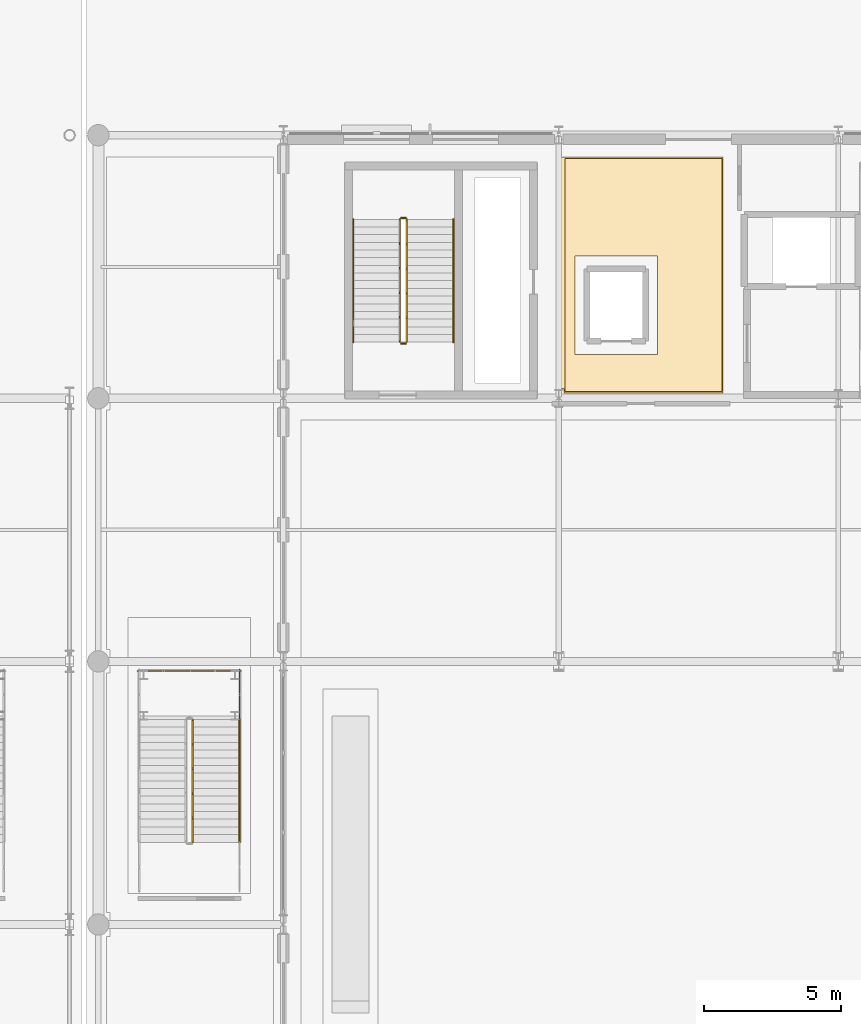
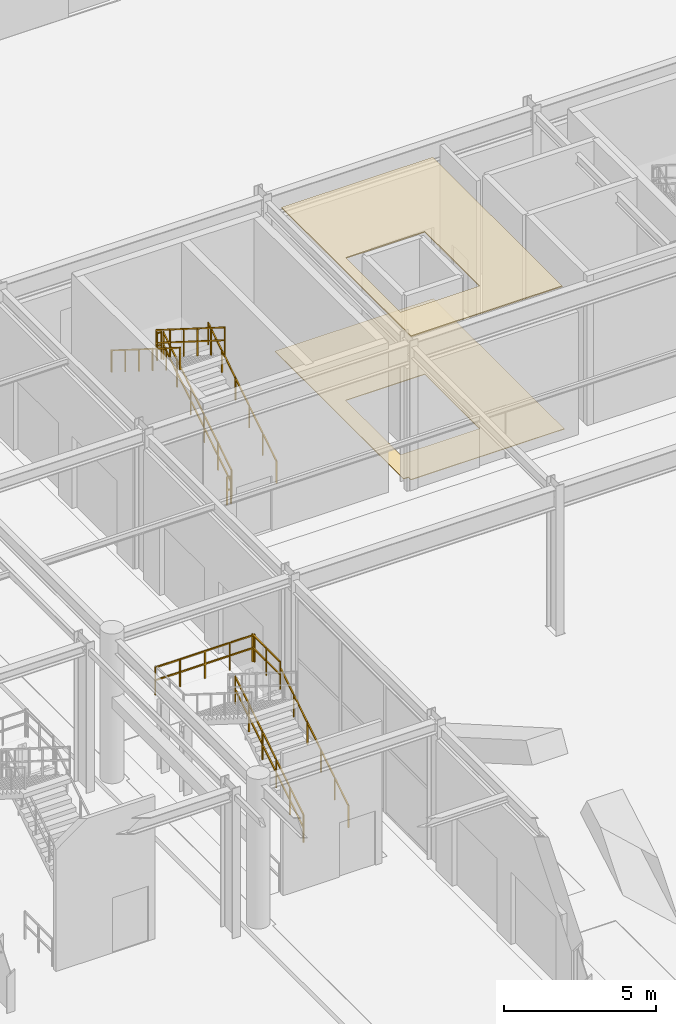
# One storey, part 92 of 113: 10 railings, 2 coverings.
"""IFC4 building model written with IfcOpenShell, lengths in metres."""

from ifc_helpers import new_model, si_unit, direction, frame, origin, origin_2d, place, context, subcontext, project, spatial, polyline, rectangle, outline, extrude, material, layer, layer_set, type_object, element, save


model = new_model("IFC4")

# Units and contexts
model_context = context("Model", 3, precision=1e-05, world=origin(), true_north=direction((0.0, 1.0)))
body_context = subcontext(model_context, "Body", "Model", "MODEL_VIEW")
ifc_project = project(units=[si_unit("LENGTHUNIT", "METRE"), si_unit("AREAUNIT", "SQUARE_METRE"), si_unit("VOLUMEUNIT", "CUBIC_METRE"), si_unit("PLANEANGLEUNIT", "RADIAN"), si_unit("MASSUNIT", "GRAM", prefix="KILO")], contexts=[model_context])

# Site, building, storey
site_placement = place(None, origin())
site = spatial("IfcSite", under=ifc_project, at=site_placement, CompositionType="ELEMENT")
building_placement = place(site_placement, origin())
building = spatial("IfcBuilding", under=site, at=building_placement, Name="Myrtia Square Station", CompositionType="ELEMENT")
storey_placement = place(building_placement, origin())
storey = spatial("IfcBuildingStorey", under=building, at=storey_placement, Name="L00", CompositionType="ELEMENT", Elevation=0.0)

# Coverings
ifc_material_1 = material(Name="Acoustic European oak timber", Category="wood")
ifc_layer_1 = layer(ifc_material_1, 0.044921875, Name="Acoustic European oak timber")
ifc_layer_set_1 = layer_set([ifc_layer_1], Name="Acoustic European oak timber")
covering_type_1 = type_object("IfcCoveringType", Name="COV-CEIL-OAK", PredefinedType="CEILING", material=ifc_layer_set_1)
covering_1_placement = place(storey_placement, frame((0.0, 0.0, 5.695068359375)))
element("IfcCovering", 1, at=covering_1_placement, inside=storey, type_object=covering_type_1, Name="Acoustic coffer ceiling L00-05", PredefinedType="CEILING", context=body_context, shape_type="SweptSolid", body=[
    extrude(outline(polyline([(95.35009765625, 95.14990234375), (95.35009765625, 86.64990234375), (89.6201171875, 86.64990234375), (89.6201171875, 95.14990234375), (95.35009765625, 95.14990234375)]), holes=[polyline([(90.0, 91.60009765625), (90.0, 88.0), (93.0, 88.0), (93.0, 91.60009765625), (90.0, 91.60009765625)])]), origin(), (0.0, 0.0, 1.0), 0.044921875),
])
ifc_material_2 = material(Name="Terrazzo stone tile", Category="masonry")
ifc_layer_2 = layer(ifc_material_2, 0.02490234375, Name="Terrazzo stone tile")
ifc_layer_set_2 = layer_set([ifc_layer_2], Name="Terrazzo stone tile")
covering_type_2 = type_object("IfcCoveringType", Name="COV-FLR-TERRAZZO", PredefinedType="FLOORING", material=ifc_layer_set_2)
covering_2_placement = place(storey_placement, origin())
element("IfcCovering", 2, at=covering_2_placement, inside=storey, type_object=covering_type_2, Name="Terrazzo room flooring L00-05", PredefinedType="FLOORING", context=body_context, shape_type="SweptSolid", body=[
    extrude(outline(polyline([(89.39990234375, 95.199951171875), (95.39990234375, 95.199951171875), (95.39990234375, 86.60009765625), (89.590087890625, 86.60009765625), (89.590087890625, 86.760009765625), (89.39990234375, 86.760009765625), (89.39990234375, 95.199951171875)]), holes=[polyline([(93.0, 91.60009765625), (90.0, 91.60009765625), (90.0, 88.0), (93.0, 88.0), (93.0, 91.60009765625)])]), origin(), (0.0, 0.0, 1.0), 0.02490234375),
])

# Railings
ifc_material_3 = material(Name="Dark bronze anodised aluminium", Category="aluminium")
railing_type_1 = type_object("IfcRailingType", Name="RL-HANDRAIL-900", PredefinedType="HANDRAIL", material=ifc_material_3)
railing_1_placement = place(storey_placement, frame((85.56005859375, 88.449951171875, 0.176513671875)))
element("IfcRailing", 3, at=railing_1_placement, inside=storey, type_object=railing_type_1, Name="L00 ST02 stair handrail 1", PredefinedType="HANDRAIL", context=body_context, shape_type="SweptSolid", body=[
    extrude(rectangle(XDim=0.048095703125, YDim=0.048095703125, at=origin_2d()), frame((0.0, 0.029296875, 0.894287109375), z_axis=(0.0, 0.845997938375, 0.533186166611), x_axis=(-1.0, 0.0, 0.0)), (0.0, 0.0, 1.0), 0.98974609375),
    extrude(rectangle(XDim=0.048095703125, YDim=0.048095703125, at=origin_2d()), frame((0.0, 0.92529296875, 1.458984375), z_axis=(0.0, 0.845997938375, 0.533186166611), x_axis=(-1.0, 0.0, 0.0)), (0.0, 0.0, 1.0), 0.98974609375),
    extrude(rectangle(XDim=0.048095703125, YDim=0.048095703125, at=origin_2d()), frame((0.0, 1.8212890625, 2.023681640625), z_axis=(0.0, 0.845997938375, 0.533186166611), x_axis=(-1.0, 0.0, 0.0)), (0.0, 0.0, 1.0), 0.98974609375),
    extrude(rectangle(XDim=0.048095703125, YDim=0.048095703125, at=origin_2d()), frame((0.0, 2.71728515625, 2.58837890625), z_axis=(0.0, 0.845997938375, 0.533186166611), x_axis=(-1.0, 0.0, 0.0)), (0.0, 0.0, 1.0), 0.98974609375),
    extrude(rectangle(XDim=0.048095703125, YDim=0.048095703125, at=origin_2d()), frame((0.0, 3.61328125, 3.153076171875), z_axis=(0.0, 0.845997938375, 0.533186166611), x_axis=(-1.0, 0.0, 0.0)), (0.0, 0.0, 1.0), 0.98974609375),
    extrude(rectangle(XDim=0.0439453125, YDim=0.0439453125, at=origin_2d()), origin(), (0.0, 0.0, 1.0), 0.89990234375),
    extrude(rectangle(XDim=0.0439453125, YDim=0.0439453125, at=origin_2d()), frame((0.0, 0.89599609375, 0.564697265625)), (0.0, 0.0, 1.0), 0.89990234375),
    extrude(rectangle(XDim=0.0439453125, YDim=0.0439453125, at=origin_2d()), frame((0.0, 1.7919921875, 1.12939453125)), (0.0, 0.0, 1.0), 0.89990234375),
    extrude(rectangle(XDim=0.0439453125, YDim=0.0439453125, at=origin_2d()), frame((0.0, 2.68798828125, 1.694091796875)), (0.0, 0.0, 1.0), 0.89990234375),
    extrude(rectangle(XDim=0.0439453125, YDim=0.0439453125, at=origin_2d()), frame((0.0, 3.583984375, 2.2587890625)), (0.0, 0.0, 1.0), 0.89990234375),
    extrude(rectangle(XDim=0.0439453125, YDim=0.0439453125, at=origin_2d()), frame((0.0, 4.47998046875, 2.823486328125)), (0.0, 0.0, 1.0), 0.89990234375),
])
railing_2_placement = place(storey_placement, frame((81.89990234375, 92.929931640625, 3.176513671875)))
element("IfcRailing", 4, at=railing_2_placement, inside=storey, type_object=railing_type_1, Name="L00 ST02 stair handrail 2", PredefinedType="HANDRAIL", context=body_context, shape_type="SweptSolid", body=[
    extrude(rectangle(XDim=0.048095703125, YDim=0.048095703125, at=origin_2d()), frame((0.0, -0.029296875, 0.894287109375), z_axis=(0.0, -0.845997938375, 0.533186166611), x_axis=(1.0, 0.0, 0.0)), (0.0, 0.0, 1.0), 0.98974609375),
    extrude(rectangle(XDim=0.048095703125, YDim=0.048095703125, at=origin_2d()), frame((0.0, -0.92529296875, 1.458984375), z_axis=(0.0, -0.845997938375, 0.533186166611), x_axis=(1.0, 0.0, 0.0)), (0.0, 0.0, 1.0), 0.98974609375),
    extrude(rectangle(XDim=0.048095703125, YDim=0.048095703125, at=origin_2d()), frame((0.0, -1.8212890625, 2.023681640625), z_axis=(0.0, -0.845997938375, 0.533186166611), x_axis=(1.0, 0.0, 0.0)), (0.0, 0.0, 1.0), 0.98974609375),
    extrude(rectangle(XDim=0.048095703125, YDim=0.048095703125, at=origin_2d()), frame((0.0, -2.71728515625, 2.58837890625), z_axis=(0.0, -0.845997938375, 0.533186166611), x_axis=(1.0, 0.0, 0.0)), (0.0, 0.0, 1.0), 0.98974609375),
    extrude(rectangle(XDim=0.048095703125, YDim=0.048095703125, at=origin_2d()), frame((0.0, -3.61328125, 3.153076171875), z_axis=(0.0, -0.845997938375, 0.533186166611), x_axis=(1.0, 0.0, 0.0)), (0.0, 0.0, 1.0), 0.98974609375),
    extrude(rectangle(XDim=0.0439453125, YDim=0.0439453125, at=origin_2d()), origin(), (0.0, 0.0, 1.0), 0.89990234375),
    extrude(rectangle(XDim=0.0439453125, YDim=0.0439453125, at=origin_2d()), frame((0.0, -0.89599609375, 0.564697265625)), (0.0, 0.0, 1.0), 0.89990234375),
    extrude(rectangle(XDim=0.0439453125, YDim=0.0439453125, at=origin_2d()), frame((0.0, -1.7919921875, 1.12939453125)), (0.0, 0.0, 1.0), 0.89990234375),
    extrude(rectangle(XDim=0.0439453125, YDim=0.0439453125, at=origin_2d()), frame((0.0, -2.68798828125, 1.694091796875)), (0.0, 0.0, 1.0), 0.89990234375),
    extrude(rectangle(XDim=0.0439453125, YDim=0.0439453125, at=origin_2d()), frame((0.0, -3.583984375, 2.2587890625)), (0.0, 0.0, 1.0), 0.89990234375),
    extrude(rectangle(XDim=0.0439453125, YDim=0.0439453125, at=origin_2d()), frame((0.0, -4.47998046875, 2.823486328125)), (0.0, 0.0, 1.0), 0.89990234375),
])
railing_3_placement = place(storey_placement, frame((77.75, 70.199951171875, 0.176513671875)))
element("IfcRailing", 5, at=railing_3_placement, inside=storey, type_object=railing_type_1, Name="L00 ST69 stair handrail 1", PredefinedType="HANDRAIL", context=body_context, shape_type="SweptSolid", body=[
    extrude(rectangle(XDim=0.048095703125, YDim=0.048095703125, at=origin_2d()), frame((0.0, 0.029296875, 0.894287109375), z_axis=(0.0, 0.845997938375, 0.533186166611), x_axis=(-1.0, 0.0, 0.0)), (0.0, 0.0, 1.0), 0.98974609375),
    extrude(rectangle(XDim=0.048095703125, YDim=0.048095703125, at=origin_2d()), frame((0.0, 0.92529296875, 1.458984375), z_axis=(0.0, 0.845997938375, 0.533186166611), x_axis=(-1.0, 0.0, 0.0)), (0.0, 0.0, 1.0), 0.98974609375),
    extrude(rectangle(XDim=0.048095703125, YDim=0.048095703125, at=origin_2d()), frame((0.0, 1.8212890625, 2.023681640625), z_axis=(0.0, 0.845997938375, 0.533186166611), x_axis=(-1.0, 0.0, 0.0)), (0.0, 0.0, 1.0), 0.98974609375),
    extrude(rectangle(XDim=0.048095703125, YDim=0.048095703125, at=origin_2d()), frame((0.0, 2.71728515625, 2.58837890625), z_axis=(0.0, 0.845997938375, 0.533186166611), x_axis=(-1.0, 0.0, 0.0)), (0.0, 0.0, 1.0), 0.98974609375),
    extrude(rectangle(XDim=0.048095703125, YDim=0.048095703125, at=origin_2d()), frame((0.0, 3.61328125, 3.153076171875), z_axis=(0.0, 0.845997938375, 0.533186166611), x_axis=(-1.0, 0.0, 0.0)), (0.0, 0.0, 1.0), 0.98974609375),
    extrude(rectangle(XDim=0.0439453125, YDim=0.0439453125, at=origin_2d()), origin(), (0.0, 0.0, 1.0), 0.89990234375),
    extrude(rectangle(XDim=0.0439453125, YDim=0.0439453125, at=origin_2d()), frame((0.0, 0.89599609375, 0.564697265625)), (0.0, 0.0, 1.0), 0.89990234375),
    extrude(rectangle(XDim=0.0439453125, YDim=0.0439453125, at=origin_2d()), frame((0.0, 1.7919921875, 1.12939453125)), (0.0, 0.0, 1.0), 0.89990234375),
    extrude(rectangle(XDim=0.0439453125, YDim=0.0439453125, at=origin_2d()), frame((0.0, 2.68798828125, 1.694091796875)), (0.0, 0.0, 1.0), 0.89990234375),
    extrude(rectangle(XDim=0.0439453125, YDim=0.0439453125, at=origin_2d()), frame((0.0, 3.583984375, 2.2587890625)), (0.0, 0.0, 1.0), 0.89990234375),
    extrude(rectangle(XDim=0.0439453125, YDim=0.0439453125, at=origin_2d()), frame((0.0, 4.47998046875, 2.823486328125)), (0.0, 0.0, 1.0), 0.89990234375),
])
ifc_material_4 = material(Name="Wrought iron", Category="steel")
railing_type_2 = type_object("IfcRailingType", Name="RL-INT-GUARD-1100", PredefinedType="BALUSTRADE", material=ifc_material_4)
railing_4_placement = place(storey_placement, frame((83.860107421875, 88.449951171875, 0.176513671875)))
element("IfcRailing", 6, at=railing_4_placement, inside=storey, type_object=railing_type_2, Name="L00 ST02 stair guard 1", PredefinedType="BALUSTRADE", context=body_context, shape_type="SweptSolid", body=[
    extrude(rectangle(XDim=0.048095703125, YDim=0.048095703125, at=origin_2d()), frame((0.0, 0.029296875, 1.114501953125), z_axis=(0.0, 0.845997938375, 0.533186166611), x_axis=(-1.0, 0.0, 0.0)), (0.0, 0.0, 1.0), 0.98974609375),
    extrude(rectangle(XDim=0.048095703125, YDim=0.048095703125, at=origin_2d()), frame((0.0, 0.029296875, 0.600830078125), z_axis=(0.0, 0.845997938375, 0.533186166611), x_axis=(-1.0, 0.0, 0.0)), (0.0, 0.0, 1.0), 0.98974609375),
    extrude(rectangle(XDim=0.048095703125, YDim=0.048095703125, at=origin_2d()), frame((0.0, 0.92529296875, 1.67919921875), z_axis=(0.0, 0.845997938375, 0.533186166611), x_axis=(-1.0, 0.0, 0.0)), (0.0, 0.0, 1.0), 0.98974609375),
    extrude(rectangle(XDim=0.048095703125, YDim=0.048095703125, at=origin_2d()), frame((0.0, 0.92529296875, 1.16552734375), z_axis=(0.0, 0.845997938375, 0.533186166611), x_axis=(-1.0, 0.0, 0.0)), (0.0, 0.0, 1.0), 0.98974609375),
    extrude(rectangle(XDim=0.048095703125, YDim=0.048095703125, at=origin_2d()), frame((0.0, 1.8212890625, 2.243896484375), z_axis=(0.0, 0.845997938375, 0.533186166611), x_axis=(-1.0, 0.0, 0.0)), (0.0, 0.0, 1.0), 0.98974609375),
    extrude(rectangle(XDim=0.048095703125, YDim=0.048095703125, at=origin_2d()), frame((0.0, 1.8212890625, 1.730224609375), z_axis=(0.0, 0.845997938375, 0.533186166611), x_axis=(-1.0, 0.0, 0.0)), (0.0, 0.0, 1.0), 0.98974609375),
    extrude(rectangle(XDim=0.048095703125, YDim=0.048095703125, at=origin_2d()), frame((0.0, 2.71728515625, 2.80859375), z_axis=(0.0, 0.845997938375, 0.533186166611), x_axis=(-1.0, 0.0, 0.0)), (0.0, 0.0, 1.0), 0.98974609375),
    extrude(rectangle(XDim=0.048095703125, YDim=0.048095703125, at=origin_2d()), frame((0.0, 2.71728515625, 2.294921875), z_axis=(0.0, 0.845997938375, 0.533186166611), x_axis=(-1.0, 0.0, 0.0)), (0.0, 0.0, 1.0), 0.98974609375),
    extrude(rectangle(XDim=0.048095703125, YDim=0.048095703125, at=origin_2d()), frame((0.0, 3.61328125, 3.373291015625), z_axis=(0.0, 0.845997938375, 0.533186166611), x_axis=(-1.0, 0.0, 0.0)), (0.0, 0.0, 1.0), 0.98974609375),
    extrude(rectangle(XDim=0.048095703125, YDim=0.048095703125, at=origin_2d()), frame((0.0, 3.61328125, 2.859619140625), z_axis=(0.0, 0.845997938375, 0.533186166611), x_axis=(-1.0, 0.0, 0.0)), (0.0, 0.0, 1.0), 0.98974609375),
    extrude(rectangle(XDim=0.0439453125, YDim=0.0439453125, at=origin_2d()), origin(), (0.0, 0.0, 1.0), 1.1201171875),
    extrude(rectangle(XDim=0.0439453125, YDim=0.0439453125, at=origin_2d()), frame((0.0, 0.89599609375, 0.564697265625)), (0.0, 0.0, 1.0), 1.1201171875),
    extrude(rectangle(XDim=0.0439453125, YDim=0.0439453125, at=origin_2d()), frame((0.0, 1.7919921875, 1.12939453125)), (0.0, 0.0, 1.0), 1.1201171875),
    extrude(rectangle(XDim=0.0439453125, YDim=0.0439453125, at=origin_2d()), frame((0.0, 2.68798828125, 1.694091796875)), (0.0, 0.0, 1.0), 1.1201171875),
    extrude(rectangle(XDim=0.0439453125, YDim=0.0439453125, at=origin_2d()), frame((0.0, 3.583984375, 2.2587890625)), (0.0, 0.0, 1.0), 1.1201171875),
    extrude(rectangle(XDim=0.0439453125, YDim=0.0439453125, at=origin_2d()), frame((0.0, 4.47998046875, 2.823486328125)), (0.0, 0.0, 1.0), 1.1201171875),
])
railing_5_placement = place(storey_placement, frame((83.81005859375, 92.97998046875, 3.0)))
element("IfcRailing", 7, at=railing_5_placement, inside=storey, type_object=railing_type_2, Name="L00 ST02 stair guard 2", PredefinedType="BALUSTRADE", context=body_context, shape_type="SweptSolid", body=[
    extrude(rectangle(XDim=0.048095703125, YDim=0.048095703125, at=origin_2d()), frame((-0.03466796875, 0.0, 1.09619140625), z_axis=(-1.0, 0.0, 0.0), x_axis=(0.0, -1.0, 0.0)), (0.0, 0.0, 1.0), 0.0908203125),
    extrude(rectangle(XDim=0.048095703125, YDim=0.048095703125, at=origin_2d()), frame((-0.03466796875, 0.0, 0.58251953125), z_axis=(-1.0, 0.0, 0.0), x_axis=(0.0, -1.0, 0.0)), (0.0, 0.0, 1.0), 0.0908203125),
    extrude(rectangle(XDim=0.0439453125, YDim=0.0439453125, at=origin_2d()), origin(), (0.0, 0.0, 1.0), 1.1201171875),
    extrude(rectangle(XDim=0.0439453125, YDim=0.0439453125, at=origin_2d()), frame((-0.16015625, 0.0, 0.0)), (0.0, 0.0, 1.0), 1.1201171875),
])
railing_6_placement = place(storey_placement, frame((83.60009765625, 92.929931640625, 3.176513671875)))
element("IfcRailing", 8, at=railing_6_placement, inside=storey, type_object=railing_type_2, Name="L00 ST02 stair guard 3", PredefinedType="BALUSTRADE", context=body_context, shape_type="SweptSolid", body=[
    extrude(rectangle(XDim=0.048095703125, YDim=0.048095703125, at=origin_2d()), frame((0.0, -0.029296875, 1.114501953125), z_axis=(0.0, -0.845997938375, 0.533186166611), x_axis=(1.0, 0.0, 0.0)), (0.0, 0.0, 1.0), 0.98974609375),
    extrude(rectangle(XDim=0.048095703125, YDim=0.048095703125, at=origin_2d()), frame((0.0, -0.029296875, 0.600830078125), z_axis=(0.0, -0.845997938375, 0.533186166611), x_axis=(1.0, 0.0, 0.0)), (0.0, 0.0, 1.0), 0.98974609375),
    extrude(rectangle(XDim=0.048095703125, YDim=0.048095703125, at=origin_2d()), frame((0.0, -0.92529296875, 1.67919921875), z_axis=(0.0, -0.845997938375, 0.533186166611), x_axis=(1.0, 0.0, 0.0)), (0.0, 0.0, 1.0), 0.98974609375),
    extrude(rectangle(XDim=0.048095703125, YDim=0.048095703125, at=origin_2d()), frame((0.0, -0.92529296875, 1.16552734375), z_axis=(0.0, -0.845997938375, 0.533186166611), x_axis=(1.0, 0.0, 0.0)), (0.0, 0.0, 1.0), 0.98974609375),
    extrude(rectangle(XDim=0.048095703125, YDim=0.048095703125, at=origin_2d()), frame((0.0, -1.8212890625, 2.243896484375), z_axis=(0.0, -0.845997938375, 0.533186166611), x_axis=(1.0, 0.0, 0.0)), (0.0, 0.0, 1.0), 0.98974609375),
    extrude(rectangle(XDim=0.048095703125, YDim=0.048095703125, at=origin_2d()), frame((0.0, -1.8212890625, 1.730224609375), z_axis=(0.0, -0.845997938375, 0.533186166611), x_axis=(1.0, 0.0, 0.0)), (0.0, 0.0, 1.0), 0.98974609375),
    extrude(rectangle(XDim=0.048095703125, YDim=0.048095703125, at=origin_2d()), frame((0.0, -2.71728515625, 2.80859375), z_axis=(0.0, -0.845997938375, 0.533186166611), x_axis=(1.0, 0.0, 0.0)), (0.0, 0.0, 1.0), 0.98974609375),
    extrude(rectangle(XDim=0.048095703125, YDim=0.048095703125, at=origin_2d()), frame((0.0, -2.71728515625, 2.294921875), z_axis=(0.0, -0.845997938375, 0.533186166611), x_axis=(1.0, 0.0, 0.0)), (0.0, 0.0, 1.0), 0.98974609375),
    extrude(rectangle(XDim=0.048095703125, YDim=0.048095703125, at=origin_2d()), frame((0.0, -3.61328125, 3.373291015625), z_axis=(0.0, -0.845997938375, 0.533186166611), x_axis=(1.0, 0.0, 0.0)), (0.0, 0.0, 1.0), 0.98974609375),
    extrude(rectangle(XDim=0.048095703125, YDim=0.048095703125, at=origin_2d()), frame((0.0, -3.61328125, 2.859619140625), z_axis=(0.0, -0.845997938375, 0.533186166611), x_axis=(1.0, 0.0, 0.0)), (0.0, 0.0, 1.0), 0.98974609375),
    extrude(rectangle(XDim=0.0439453125, YDim=0.0439453125, at=origin_2d()), origin(), (0.0, 0.0, 1.0), 1.1201171875),
    extrude(rectangle(XDim=0.0439453125, YDim=0.0439453125, at=origin_2d()), frame((0.0, -0.89599609375, 0.564697265625)), (0.0, 0.0, 1.0), 1.1201171875),
    extrude(rectangle(XDim=0.0439453125, YDim=0.0439453125, at=origin_2d()), frame((0.0, -1.7919921875, 1.12939453125)), (0.0, 0.0, 1.0), 1.1201171875),
    extrude(rectangle(XDim=0.0439453125, YDim=0.0439453125, at=origin_2d()), frame((0.0, -2.68798828125, 1.694091796875)), (0.0, 0.0, 1.0), 1.1201171875),
    extrude(rectangle(XDim=0.0439453125, YDim=0.0439453125, at=origin_2d()), frame((0.0, -3.583984375, 2.2587890625)), (0.0, 0.0, 1.0), 1.1201171875),
    extrude(rectangle(XDim=0.0439453125, YDim=0.0439453125, at=origin_2d()), frame((0.0, -4.47998046875, 2.823486328125)), (0.0, 0.0, 1.0), 1.1201171875),
])
railing_7_placement = place(storey_placement, frame((83.81005859375, 88.39990234375, 0.0)))
element("IfcRailing", 9, at=railing_7_placement, inside=storey, type_object=railing_type_2, Name="L00 ST02 stair guard 4", PredefinedType="BALUSTRADE", context=body_context, shape_type="SweptSolid", body=[
    extrude(rectangle(XDim=0.048095703125, YDim=0.048095703125, at=origin_2d()), frame((-0.03466796875, 0.0, 1.09619140625), z_axis=(-1.0, 0.0, 0.0), x_axis=(0.0, -1.0, 0.0)), (0.0, 0.0, 1.0), 0.0908203125),
    extrude(rectangle(XDim=0.048095703125, YDim=0.048095703125, at=origin_2d()), frame((-0.03466796875, 0.0, 0.58251953125), z_axis=(-1.0, 0.0, 0.0), x_axis=(0.0, -1.0, 0.0)), (0.0, 0.0, 1.0), 0.0908203125),
    extrude(rectangle(XDim=0.0439453125, YDim=0.0439453125, at=origin_2d()), origin(), (0.0, 0.0, 1.0), 1.1201171875),
    extrude(rectangle(XDim=0.0439453125, YDim=0.0439453125, at=origin_2d()), frame((-0.16015625, 0.0, 0.0)), (0.0, 0.0, 1.0), 1.1201171875),
])
railing_8_placement = place(storey_placement, frame((76.050048828125, 70.199951171875, 0.176513671875)))
element("IfcRailing", 10, at=railing_8_placement, inside=storey, type_object=railing_type_2, Name="L00 ST69 stair guard 1", PredefinedType="BALUSTRADE", context=body_context, shape_type="SweptSolid", body=[
    extrude(rectangle(XDim=0.048095703125, YDim=0.048095703125, at=origin_2d()), frame((0.0, 0.029296875, 1.114501953125), z_axis=(0.0, 0.845997938375, 0.533186166611), x_axis=(-1.0, 0.0, 0.0)), (0.0, 0.0, 1.0), 0.98974609375),
    extrude(rectangle(XDim=0.048095703125, YDim=0.048095703125, at=origin_2d()), frame((0.0, 0.029296875, 0.600830078125), z_axis=(0.0, 0.845997938375, 0.533186166611), x_axis=(-1.0, 0.0, 0.0)), (0.0, 0.0, 1.0), 0.98974609375),
    extrude(rectangle(XDim=0.048095703125, YDim=0.048095703125, at=origin_2d()), frame((0.0, 0.92529296875, 1.67919921875), z_axis=(0.0, 0.845997938375, 0.533186166611), x_axis=(-1.0, 0.0, 0.0)), (0.0, 0.0, 1.0), 0.98974609375),
    extrude(rectangle(XDim=0.048095703125, YDim=0.048095703125, at=origin_2d()), frame((0.0, 0.92529296875, 1.16552734375), z_axis=(0.0, 0.845997938375, 0.533186166611), x_axis=(-1.0, 0.0, 0.0)), (0.0, 0.0, 1.0), 0.98974609375),
    extrude(rectangle(XDim=0.048095703125, YDim=0.048095703125, at=origin_2d()), frame((0.0, 1.8212890625, 2.243896484375), z_axis=(0.0, 0.845997938375, 0.533186166611), x_axis=(-1.0, 0.0, 0.0)), (0.0, 0.0, 1.0), 0.98974609375),
    extrude(rectangle(XDim=0.048095703125, YDim=0.048095703125, at=origin_2d()), frame((0.0, 1.8212890625, 1.730224609375), z_axis=(0.0, 0.845997938375, 0.533186166611), x_axis=(-1.0, 0.0, 0.0)), (0.0, 0.0, 1.0), 0.98974609375),
    extrude(rectangle(XDim=0.048095703125, YDim=0.048095703125, at=origin_2d()), frame((0.0, 2.71728515625, 2.80859375), z_axis=(0.0, 0.845997938375, 0.533186166611), x_axis=(-1.0, 0.0, 0.0)), (0.0, 0.0, 1.0), 0.98974609375),
    extrude(rectangle(XDim=0.048095703125, YDim=0.048095703125, at=origin_2d()), frame((0.0, 2.71728515625, 2.294921875), z_axis=(0.0, 0.845997938375, 0.533186166611), x_axis=(-1.0, 0.0, 0.0)), (0.0, 0.0, 1.0), 0.98974609375),
    extrude(rectangle(XDim=0.048095703125, YDim=0.048095703125, at=origin_2d()), frame((0.0, 3.61328125, 3.373291015625), z_axis=(0.0, 0.845997938375, 0.533186166611), x_axis=(-1.0, 0.0, 0.0)), (0.0, 0.0, 1.0), 0.98974609375),
    extrude(rectangle(XDim=0.048095703125, YDim=0.048095703125, at=origin_2d()), frame((0.0, 3.61328125, 2.859619140625), z_axis=(0.0, 0.845997938375, 0.533186166611), x_axis=(-1.0, 0.0, 0.0)), (0.0, 0.0, 1.0), 0.98974609375),
    extrude(rectangle(XDim=0.0439453125, YDim=0.0439453125, at=origin_2d()), origin(), (0.0, 0.0, 1.0), 1.1201171875),
    extrude(rectangle(XDim=0.0439453125, YDim=0.0439453125, at=origin_2d()), frame((0.0, 0.89599609375, 0.564697265625)), (0.0, 0.0, 1.0), 1.1201171875),
    extrude(rectangle(XDim=0.0439453125, YDim=0.0439453125, at=origin_2d()), frame((0.0, 1.7919921875, 1.12939453125)), (0.0, 0.0, 1.0), 1.1201171875),
    extrude(rectangle(XDim=0.0439453125, YDim=0.0439453125, at=origin_2d()), frame((0.0, 2.68798828125, 1.694091796875)), (0.0, 0.0, 1.0), 1.1201171875),
    extrude(rectangle(XDim=0.0439453125, YDim=0.0439453125, at=origin_2d()), frame((0.0, 3.583984375, 2.2587890625)), (0.0, 0.0, 1.0), 1.1201171875),
    extrude(rectangle(XDim=0.0439453125, YDim=0.0439453125, at=origin_2d()), frame((0.0, 4.47998046875, 2.823486328125)), (0.0, 0.0, 1.0), 1.1201171875),
])
railing_9_placement = place(storey_placement, frame((77.75, 74.679931640625, 3.0)))
element("IfcRailing", 11, at=railing_9_placement, inside=storey, type_object=railing_type_2, Name="L00 ST69 stair guard 3", PredefinedType="BALUSTRADE", context=body_context, shape_type="SweptSolid", body=[
    extrude(rectangle(XDim=0.048095703125, YDim=0.048095703125, at=origin_2d()), frame((0.0, 0.03466796875, 1.09619140625), z_axis=(0.0, 1.0, 0.0), x_axis=(-1.0, 0.0, 0.0)), (0.0, 0.0, 1.0), 0.8408203125),
    extrude(rectangle(XDim=0.048095703125, YDim=0.048095703125, at=origin_2d()), frame((0.0, 0.03466796875, 0.58251953125), z_axis=(0.0, 1.0, 0.0), x_axis=(-1.0, 0.0, 0.0)), (0.0, 0.0, 1.0), 0.8408203125),
    extrude(rectangle(XDim=0.048095703125, YDim=0.048095703125, at=origin_2d()), frame((0.0, 0.944580078125, 1.09619140625), z_axis=(0.0, 1.0, 0.0), x_axis=(-1.0, 0.0, 0.0)), (0.0, 0.0, 1.0), 0.8408203125),
    extrude(rectangle(XDim=0.048095703125, YDim=0.048095703125, at=origin_2d()), frame((0.0, 0.944580078125, 0.58251953125), z_axis=(0.0, 1.0, 0.0), x_axis=(-1.0, 0.0, 0.0)), (0.0, 0.0, 1.0), 0.8408203125),
    extrude(rectangle(XDim=0.0439453125, YDim=0.0439453125, at=origin_2d()), origin(), (0.0, 0.0, 1.0), 1.1201171875),
    extrude(rectangle(XDim=0.0439453125, YDim=0.0439453125, at=origin_2d()), frame((0.0, 0.91015625, 0.0)), (0.0, 0.0, 1.0), 1.1201171875),
    extrude(rectangle(XDim=0.0439453125, YDim=0.0439453125, at=origin_2d()), frame((0.0, 1.820068359375, 0.0)), (0.0, 0.0, 1.0), 1.1201171875),
])
railing_10_placement = place(storey_placement, frame((77.800048828125, 76.449951171875, 3.0)))
element("IfcRailing", 12, at=railing_10_placement, inside=storey, type_object=railing_type_2, Name="L00 ST69 stair guard 5", PredefinedType="BALUSTRADE", context=body_context, shape_type="SweptSolid", body=[
    extrude(rectangle(XDim=0.048095703125, YDim=0.048095703125, at=origin_2d()), frame((-0.03466796875, 0.0, 1.09619140625), z_axis=(-1.0, 0.0, 0.0), x_axis=(0.0, -1.0, 0.0)), (0.0, 0.0, 1.0), 0.87060546875),
    extrude(rectangle(XDim=0.048095703125, YDim=0.048095703125, at=origin_2d()), frame((-0.03466796875, 0.0, 0.58251953125), z_axis=(-1.0, 0.0, 0.0), x_axis=(0.0, -1.0, 0.0)), (0.0, 0.0, 1.0), 0.87060546875),
    extrude(rectangle(XDim=0.048095703125, YDim=0.048095703125, at=origin_2d()), frame((-0.974609375, 0.0, 1.09619140625), z_axis=(-1.0, 0.0, 0.0), x_axis=(0.0, -1.0, 0.0)), (0.0, 0.0, 1.0), 0.87060546875),
    extrude(rectangle(XDim=0.048095703125, YDim=0.048095703125, at=origin_2d()), frame((-0.974609375, 0.0, 0.58251953125), z_axis=(-1.0, 0.0, 0.0), x_axis=(0.0, -1.0, 0.0)), (0.0, 0.0, 1.0), 0.87060546875),
    extrude(rectangle(XDim=0.048095703125, YDim=0.048095703125, at=origin_2d()), frame((-1.91455078125, 0.0, 1.09619140625), z_axis=(-1.0, 0.0, 0.0), x_axis=(0.0, -1.0, 0.0)), (0.0, 0.0, 1.0), 0.87060546875),
    extrude(rectangle(XDim=0.048095703125, YDim=0.048095703125, at=origin_2d()), frame((-1.91455078125, 0.0, 0.58251953125), z_axis=(-1.0, 0.0, 0.0), x_axis=(0.0, -1.0, 0.0)), (0.0, 0.0, 1.0), 0.87060546875),
    extrude(rectangle(XDim=0.048095703125, YDim=0.048095703125, at=origin_2d()), frame((-2.854736328125, 0.0, 1.09619140625), z_axis=(-1.0, 0.0, 0.0), x_axis=(0.0, -1.0, 0.0)), (0.0, 0.0, 1.0), 0.87060546875),
    extrude(rectangle(XDim=0.048095703125, YDim=0.048095703125, at=origin_2d()), frame((-2.854736328125, 0.0, 0.58251953125), z_axis=(-1.0, 0.0, 0.0), x_axis=(0.0, -1.0, 0.0)), (0.0, 0.0, 1.0), 0.87060546875),
    extrude(rectangle(XDim=0.0439453125, YDim=0.0439453125, at=origin_2d()), origin(), (0.0, 0.0, 1.0), 1.1201171875),
    extrude(rectangle(XDim=0.0439453125, YDim=0.0439453125, at=origin_2d()), frame((-0.93994140625, 0.0, 0.0)), (0.0, 0.0, 1.0), 1.1201171875),
    extrude(rectangle(XDim=0.0439453125, YDim=0.0439453125, at=origin_2d()), frame((-1.8798828125, 0.0, 0.0)), (0.0, 0.0, 1.0), 1.1201171875),
    extrude(rectangle(XDim=0.0439453125, YDim=0.0439453125, at=origin_2d()), frame((-2.820068359375, 0.0, 0.0)), (0.0, 0.0, 1.0), 1.1201171875),
    extrude(rectangle(XDim=0.0439453125, YDim=0.0439453125, at=origin_2d()), frame((-3.760009765625, 0.0, 0.0)), (0.0, 0.0, 1.0), 1.1201171875),
])

save(model, "model.ifc")
